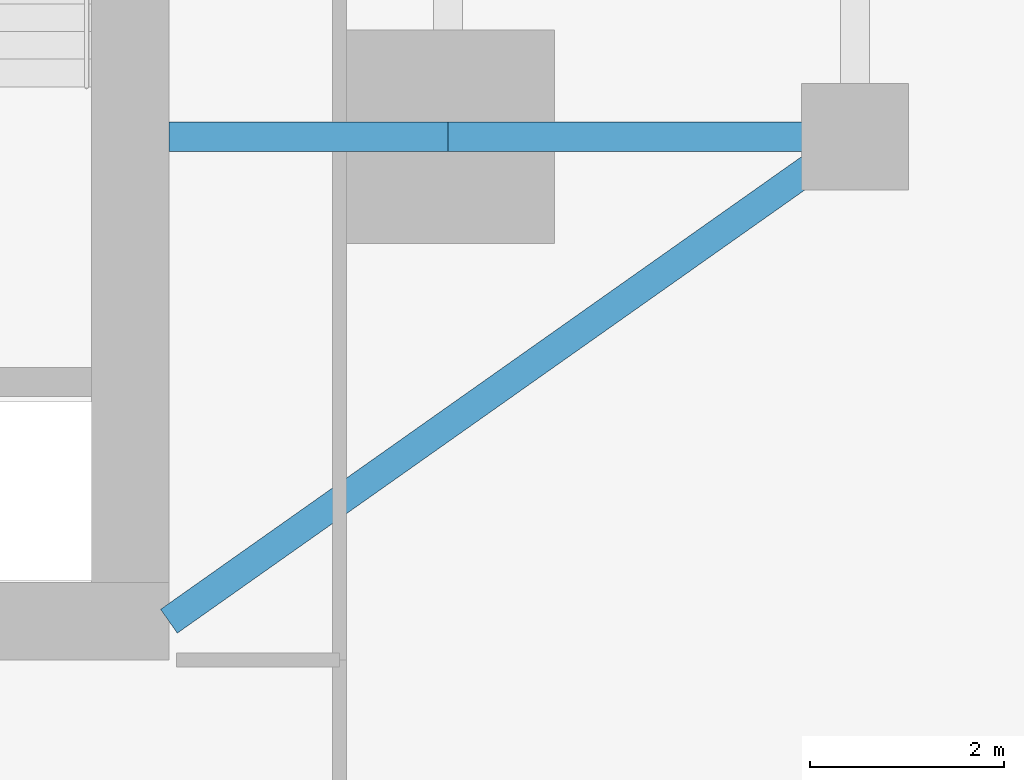
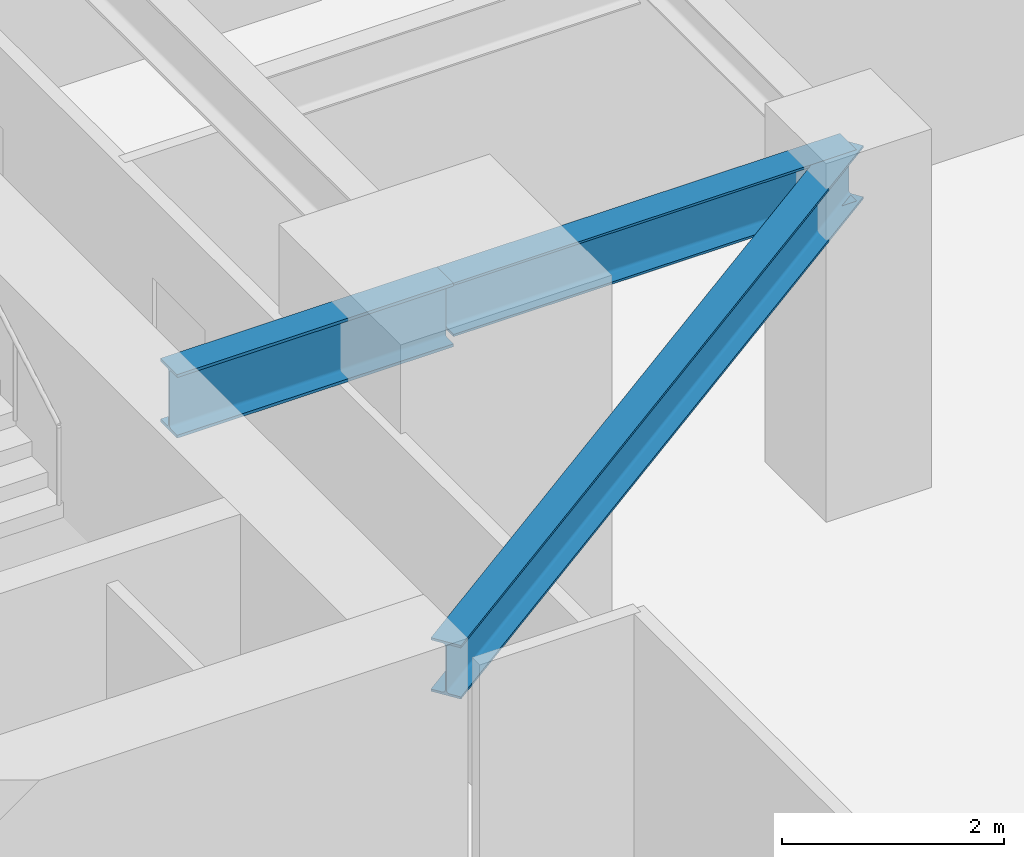
# One storey, part 13 of 30: 3 beams.
"""IFC4 building model written with IfcOpenShell, lengths in metres."""

from ifc_helpers import new_model, si_unit, direction, frame, origin, origin_2d, place, context, subcontext, project, spatial, i_section, extrude, source, transform, mapped, material, material_profile, profile_set, type_object, type_shapes, element, save


model = new_model("IFC4")

# Units and contexts
model_context = context("Model", 3, precision=1e-05, world=origin(), true_north=direction((0.0, 1.0)))
body_context = subcontext(model_context, "Body", "Model", "MODEL_VIEW")
ifc_project = project(units=[si_unit("LENGTHUNIT", "METRE"), si_unit("AREAUNIT", "SQUARE_METRE"), si_unit("VOLUMEUNIT", "CUBIC_METRE"), si_unit("PLANEANGLEUNIT", "RADIAN"), si_unit("MASSUNIT", "GRAM", prefix="KILO")], contexts=[model_context])

# Site, building, storey
site_placement = place(None, origin())
site = spatial("IfcSite", under=ifc_project, at=site_placement, CompositionType="ELEMENT")
building_placement = place(site_placement, origin())
building = spatial("IfcBuilding", under=site, at=building_placement, Name="Krantzveldt Concourse Tower", CompositionType="ELEMENT")
storey_placement = place(building_placement, frame((0.0, 0.0, 40.800048828125)))
storey = spatial("IfcBuildingStorey", under=building, at=storey_placement, Name="L09", CompositionType="ELEMENT", Elevation=40.800048828125)

# Beams
ifc_material_1 = material(Name="Steel S355J2", Category="steel")
ifc_material_profile_1 = material_profile(ifc_material_1, i_section(OverallWidth=0.300048828125, OverallDepth=0.699951171875, WebThickness=0.01708984375, FlangeThickness=0.031982421875, FilletRadius=0.027099609375, at=origin_2d()), Name="Steel S355J2", Category="steel")
ifc_profile_set_1 = profile_set([ifc_material_profile_1], Name="Steel S355J2 - HEB 700")
beam_type_1 = type_object("IfcBeamType", Name="BM-B-HEB700", PredefinedType="BEAM", material=ifc_profile_set_1)
shared_shape_1 = source(origin(), body_context, "Body", "SweptSolid", [
    extrude(i_section(OverallWidth=0.300048828125, OverallDepth=0.699951171875, WebThickness=0.01708984375, FlangeThickness=0.031982421875, FilletRadius=0.027099609375, at=origin_2d()), origin(), (0.0, 0.0, 1.0), 2.880126953125),
])
type_shapes(beam_type_1, [shared_shape_1])
beam_1_placement = place(storey_placement, frame((43.919921875, 15.89990234375, 3.320068359375), z_axis=(1.0, 0.0, 0.0), x_axis=(0.0, 1.0, 0.0)))
element("IfcBeam", 1, at=beam_1_placement, inside=storey, type_object=beam_type_1, Name="L09 Tower Girder BG-CE1", PredefinedType="BEAM", context=body_context, shape_type="MappedRepresentation", body=[
    mapped(shared_shape_1, transform((0.0, 0.0, 0.0), x_axis=(1.0, 0.0, 0.0), y_axis=(0.0, 1.0, 0.0), z_axis=(0.0, 0.0, 1.0), scale=1.0)),
])
ifc_material_2 = material(Name="Steel S355JR", Category="steel")
ifc_material_profile_2 = material_profile(ifc_material_2, i_section(OverallWidth=0.300048828125, OverallDepth=0.590087890625, WebThickness=0.012939453125, FlangeThickness=0.02490234375, FilletRadius=0.027099609375, at=origin_2d()), Name="Steel S355JR", Category="steel")
ifc_profile_set_2 = profile_set([ifc_material_profile_2], Name="Steel S355JR - HEA 600")
beam_type_2 = type_object("IfcBeamType", Name="BM-B-HEA600", PredefinedType="BEAM", material=ifc_profile_set_2)
shared_shape_2 = source(origin(), body_context, "Body", "SweptSolid", [
    extrude(i_section(OverallWidth=0.300048828125, OverallDepth=0.590087890625, WebThickness=0.012939453125, FlangeThickness=0.02490234375, FilletRadius=0.027099609375, at=origin_2d()), origin(), (0.0, 0.0, 1.0), 4.199951171875),
])
beam_2_placement = place(storey_placement, frame((46.800048828125, 15.89990234375, 3.375), z_axis=(1.0, 0.0, 0.0), x_axis=(0.0, 1.0, 0.0)))
element("IfcBeam", 2, at=beam_2_placement, inside=storey, type_object=beam_type_2, Name="L09 Tower Girder BR-RR1", PredefinedType="BEAM", context=body_context, shape_type="MappedRepresentation", body=[
    mapped(shared_shape_2, transform((0.0, 0.0, 0.0), x_axis=(1.0, 0.0, 0.0), y_axis=(0.0, 1.0, 0.0), z_axis=(0.0, 0.0, 1.0), scale=1.0)),
])
shared_shape_3 = source(origin(), body_context, "Body", "SweptSolid", [
    extrude(i_section(OverallWidth=0.300048828125, OverallDepth=0.590087890625, WebThickness=0.012939453125, FlangeThickness=0.02490234375, FilletRadius=0.027099609375, at=origin_2d()), origin(), (0.0, 0.0, 1.0), 8.667724609375),
])
type_shapes(beam_type_2, [shared_shape_2, shared_shape_3])
beam_3_placement = place(storey_placement, frame((51.0, 15.89990234375, 3.375), z_axis=(-0.81684294656, -0.576860122261, 0.0), x_axis=(0.576860122261, -0.81684294656, 0.0)))
element("IfcBeam", 3, at=beam_3_placement, inside=storey, type_object=beam_type_2, Name="L09 Tower Girder BR-CSE", PredefinedType="BEAM", context=body_context, shape_type="MappedRepresentation", body=[
    mapped(shared_shape_3, transform((0.0, 0.0, 0.0), x_axis=(1.0, 0.0, 0.0), y_axis=(0.0, 1.0, 0.0), z_axis=(0.0, 0.0, 1.0), scale=1.0)),
])

save(model, "model.ifc")
